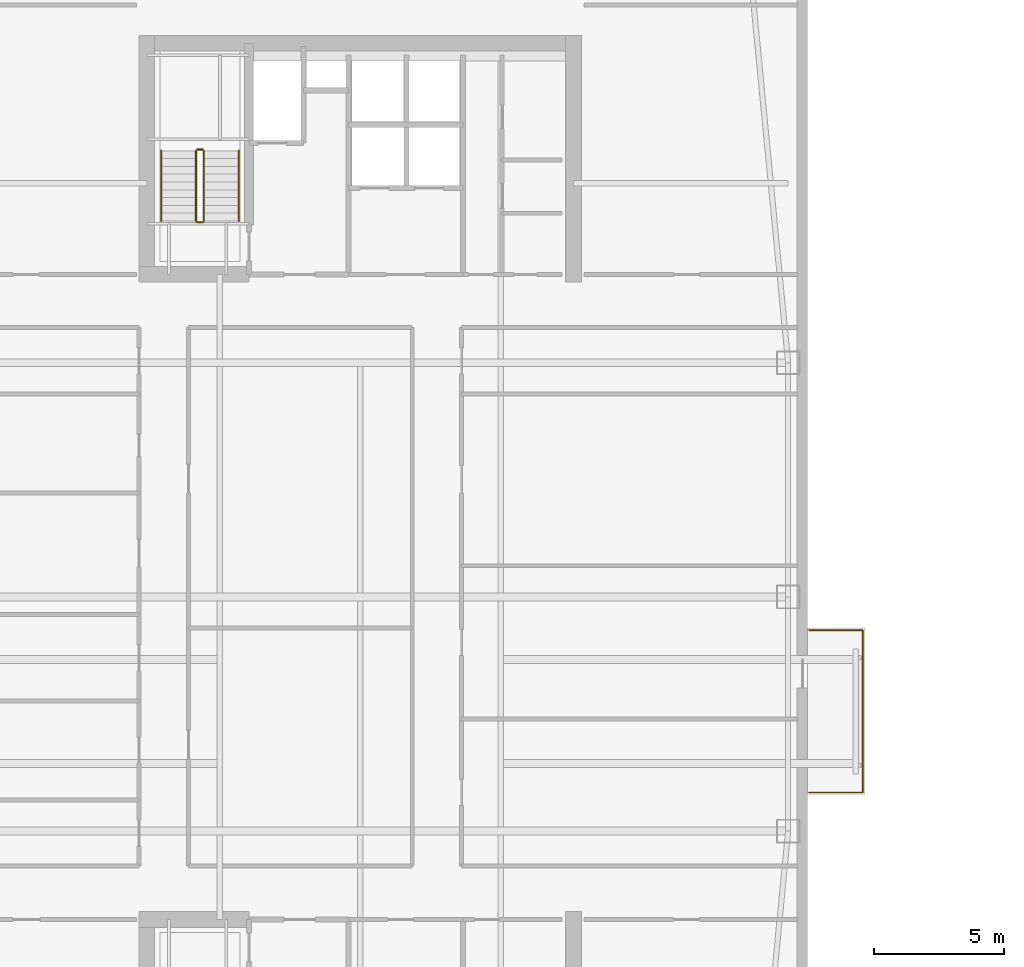
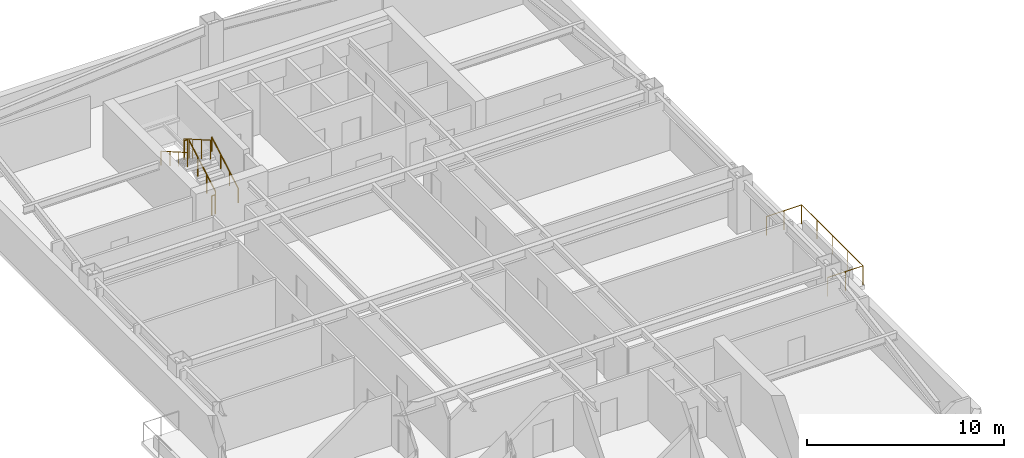
# One storey, part 13 of 15: 7 railings.
"""IFC4 building model written with IfcOpenShell, lengths in metres."""

import ifcopenshell
import ifcopenshell.guid

model = None  # the IFC model being written
_history = None  # IfcOwnerHistory: only IFC2X3 demands one
_inside = {}  # id of a spatial element -> (the spatial element, [elements in it])
_under = {}  # id of a project, library or spatial element -> (it, [spatial elements below it])
_declared = {}  # id of a project -> (the project, [libraries it declares])
_typed = {}  # id of a type object -> (the type object, [elements of that type])
_made_of = {}  # id of a material, layer set ... -> (it, [elements and type objects made of it])


def new_model(schema):
    """Start an empty IFC model of exactly this schema.

    Asked for "IFC4X3", IfcOpenShell would pick the latest addendum, in which some entities
    have other attributes; the version numbers below select the first issue.
    IFC2X3 requires an IfcOwnerHistory on every rooted entity: one is made here for all.
    """
    global model, _history
    if schema == "IFC4X3":
        model = ifcopenshell.file(schema_version=(4, 3, 0, 0))
    else:
        model = ifcopenshell.file(schema=schema)
    _inside.clear()
    _under.clear()
    _declared.clear()
    _typed.clear()
    _made_of.clear()
    _history = None
    if model.schema == "IFC2X3":
        org = make("IfcOrganization", Name="unknown")
        user = make(
            "IfcPersonAndOrganization",
            ThePerson=make("IfcPerson", FamilyName="unknown"),
            TheOrganization=org,
        )
        app = make(
            "IfcApplication",
            ApplicationDeveloper=org,
            Version="unknown",
            ApplicationFullName="unknown",
            ApplicationIdentifier="unknown",
        )
        _history = make(
            "IfcOwnerHistory",
            OwningUser=user,
            OwningApplication=app,
            ChangeAction="ADDED",
            CreationDate=0,
        )
    return model


def make(cls, **values):
    """One entity of the class cls with the attributes given. An attribute that is None is left unset."""
    return model.create_entity(
        cls, **{name: value for name, value in values.items() if value is not None}
    )


def rooted(cls, **values):
    """An entity with a GlobalId (a new one), such as an element, a storey or a relation."""
    return make(cls, GlobalId=ifcopenshell.guid.new(), OwnerHistory=_history, **values)


def si_unit(unit_type, name, prefix=None):
    """IfcSIUnit, for example si_unit("LENGTHUNIT", "METRE", prefix="MILLI")."""
    return make("IfcSIUnit", UnitType=unit_type, Prefix=prefix, Name=name)


def assignment(units):
    """IfcUnitAssignment: the units of a project."""
    return None if units is None else make("IfcUnitAssignment", Units=units)


def point(xyz):
    """IfcCartesianPoint."""
    return None if xyz is None else make("IfcCartesianPoint", Coordinates=xyz)


def direction(xyz):
    """IfcDirection."""
    return None if xyz is None else make("IfcDirection", DirectionRatios=xyz)


def frame(location, z_axis=None, x_axis=None):
    """IfcAxis2Placement3D, a coordinate frame: its origin and axes. An axis left out is left unset."""
    return make(
        "IfcAxis2Placement3D",
        Location=point(location),
        Axis=direction(z_axis),
        RefDirection=direction(x_axis),
    )


def frame_2d(location, x_axis=None):
    """IfcAxis2Placement2D, a coordinate frame in the plane: its origin and x axis."""
    return make(
        "IfcAxis2Placement2D", Location=point(location), RefDirection=direction(x_axis)
    )


def origin():
    """The frame at (0, 0, 0) with its axes left unset."""
    return frame((0.0, 0.0, 0.0))


def origin_2d():
    """The frame at (0, 0) in the plane with its x axis left unset."""
    return frame_2d((0.0, 0.0))


def place(relative_to, where):
    """IfcLocalPlacement: puts the frame where relative to a parent placement (None: the world)."""
    return make(
        "IfcLocalPlacement", PlacementRelTo=relative_to, RelativePlacement=where
    )


def context(
    kind, dimensions, precision=None, world=None, true_north=None, identifier=None
):
    """IfcGeometricRepresentationContext, for example the 3D "Model" context."""
    return make(
        "IfcGeometricRepresentationContext",
        ContextIdentifier=identifier,
        ContextType=kind,
        CoordinateSpaceDimension=dimensions,
        Precision=precision,
        WorldCoordinateSystem=world,
        TrueNorth=true_north,
    )


def subcontext(parent, identifier, kind, view, scale=None):
    """IfcGeometricRepresentationSubContext, for example "Body" below "Model"."""
    return make(
        "IfcGeometricRepresentationSubContext",
        ContextIdentifier=identifier,
        ContextType=kind,
        ParentContext=parent,
        TargetScale=scale,
        TargetView=view,
    )


def project(units=None, contexts=None):
    """IfcProject with its units and contexts."""
    return rooted(
        "IfcProject",
        Name="project",
        RepresentationContexts=contexts,
        UnitsInContext=assignment(units),
    )


def spatial(cls, under=None, at=None, **own):
    """A site, building, storey or space (cls), placed at a placement, below another one or the project."""
    s = rooted(cls, ObjectPlacement=at, **own)
    if under is not None:
        _under.setdefault(under.id(), (under, []))[1].append(s)
    return s


def profile(cls, at=None, kind="AREA", **sizes):
    """A parametric profile (cls). Its sizes go by their IFC names, for example OverallWidth=200.0."""
    return make(cls, ProfileType=kind, Position=at, **sizes)


def circle(**sizes):
    """IfcCircleProfileDef."""
    return profile("IfcCircleProfileDef", **sizes)


def extrude(swept, where, along, depth):
    """IfcExtrudedAreaSolid: the profile swept, set in the frame where, extruded along a direction by depth."""
    return make(
        "IfcExtrudedAreaSolid",
        SweptArea=swept,
        Position=where,
        ExtrudedDirection=direction(along),
        Depth=depth,
    )


def shape(context_of_items, identifier, shape_type, items):
    """IfcShapeRepresentation: the items that make up one representation, for example the "Body"."""
    return make(
        "IfcShapeRepresentation",
        ContextOfItems=context_of_items,
        RepresentationIdentifier=identifier,
        RepresentationType=shape_type,
        Items=items,
    )


def material(Name=None, Category=None):
    """IfcMaterial."""
    return make("IfcMaterial", Name=Name, Category=Category)


def made_of(thing, what):
    """Note that an element or type object is made of a material, layer set ...; save() writes the relation."""
    if what is not None:
        _made_of.setdefault(what.id(), (what, []))[1].append(thing)
    return thing


def type_object(cls, material=None, **own):
    """A type object (cls), such as IfcWallType, which elements share."""
    return made_of(rooted(cls, **own), material)


def element(
    cls,
    number,
    at=None,
    inside=None,
    cuts=None,
    type_object=None,
    material=None,
    context=None,
    identifier="Body",
    shape_type=None,
    held_by="IfcProductDefinitionShape",
    body=None,
    shapes=None,
    **own,
):
    """One element of the class cls, such as IfcWall. Its Tag is "e" and its number.

    at: its placement. inside: the storey or other place that contains it. cuts: it is an
    opening in that element (IfcRelVoidsElement). A single representation is given by context,
    identifier, shape_type and body (its items); several are given by shapes. held_by: the class
    of the entity that holds the representations. save() writes the other relations.
    """
    e = rooted(cls, Tag="e%d" % number, ObjectPlacement=at, **own)
    if body is not None:
        shapes = [shape(context, identifier, shape_type, body)]
    if shapes is not None:
        e.Representation = make(held_by, Representations=shapes)
    if inside is not None:
        _inside.setdefault(inside.id(), (inside, []))[1].append(e)
    if cuts is not None:
        rooted(
            "IfcRelVoidsElement", RelatingBuildingElement=cuts, RelatedOpeningElement=e
        )
    if type_object is not None:
        _typed.setdefault(type_object.id(), (type_object, []))[1].append(e)
    return made_of(e, material)


def aggregate(whole, parts):
    """IfcRelAggregates: a whole, such as a stair, and the parts it consists of."""
    return rooted("IfcRelAggregates", RelatingObject=whole, RelatedObjects=parts)


def save(model, path):
    """Write the relations noted so far, then the file.

    IfcRelAggregates (storeys below a building ...), IfcRelContainedInSpatialStructure (elements
    in a storey), IfcRelDefinesByType, IfcRelAssociatesMaterial and IfcRelDeclares: one each for
    every whole, place, type object, material and project.
    """
    for whole, parts in _under.values():
        aggregate(whole, parts)
    for where, things in _inside.values():
        rooted(
            "IfcRelContainedInSpatialStructure",
            RelatedElements=things,
            RelatingStructure=where,
        )
    for kind, things in _typed.values():
        rooted("IfcRelDefinesByType", RelatedObjects=things, RelatingType=kind)
    for what, things in _made_of.values():
        rooted("IfcRelAssociatesMaterial", RelatedObjects=things, RelatingMaterial=what)
    for by, libraries in _declared.values():
        rooted("IfcRelDeclares", RelatingContext=by, RelatedDefinitions=libraries)
    model.write(path)


model = new_model("IFC4")

# Units and contexts
model_context = context("Model", 3, precision=1e-05, world=origin(), true_north=direction((0.0, 1.0)))
body_context = subcontext(model_context, "Body", "Model", "MODEL_VIEW")
ifc_project = project(units=[si_unit("LENGTHUNIT", "METRE"), si_unit("AREAUNIT", "SQUARE_METRE"), si_unit("VOLUMEUNIT", "CUBIC_METRE"), si_unit("PLANEANGLEUNIT", "RADIAN"), si_unit("MASSUNIT", "GRAM", prefix="KILO")], contexts=[model_context])

# Site, building, storey
site_placement = place(None, origin())
site = spatial("IfcSite", under=ifc_project, at=site_placement, CompositionType="ELEMENT")
building_placement = place(site_placement, origin())
building = spatial("IfcBuilding", under=site, at=building_placement, Name="Qiaolan Cultural Towers", CompositionType="ELEMENT")
storey_placement = place(building_placement, frame((0.0, 0.0, 166.75)))
storey = spatial("IfcBuildingStorey", under=building, at=storey_placement, Name="L44", CompositionType="ELEMENT", Elevation=166.75)

# Railings
ifc_material_1 = material(Name="Laminated SentryGlas & Stainless Steel S31608 Balustrade", Category="steel")
railing_type_1 = type_object("IfcRailingType", Name="GRD-TERR-1200", PredefinedType="BALUSTRADE", material=ifc_material_1)
railing_1_placement = place(storey_placement, frame((47.25, 26.47998046875, 0.0)))
element("IfcRailing", 1, at=railing_1_placement, inside=storey, type_object=railing_type_1, Name="L44 T1 Tree Balcony Guardrail E", PredefinedType="BALUSTRADE", context=body_context, shape_type="SweptSolid", body=[
    extrude(circle(Radius=0.02392578125, at=origin_2d()), frame((0.0, 0.0, 1.17578125), z_axis=(1.0, 0.0, 0.0), x_axis=(0.0, 1.0, 0.0)), (0.0, 0.0, 1.0), 2.070068359375),
    extrude(circle(Radius=0.02392578125, at=origin_2d()), frame((2.070068359375, 0.0, 1.17578125), z_axis=(0.0, 1.0, 0.0), x_axis=(-1.0, 0.0, 0.0)), (0.0, 0.0, 1.0), 6.239990234375),
    extrude(circle(Radius=0.02392578125, at=origin_2d()), frame((2.070068359375, 6.239990234375, 1.17578125), z_axis=(-1.0, 0.0, 0.0), x_axis=(0.0, -1.0, 0.0)), (0.0, 0.0, 1.0), 2.070068359375),
    extrude(circle(Radius=0.02099609375, at=origin_2d()), origin(), (0.0, 0.0, 1.0), 1.15185546875),
    extrude(circle(Radius=0.02099609375, at=origin_2d()), frame((1.03515625, 0.0, 0.0)), (0.0, 0.0, 1.0), 1.15185546875),
    extrude(circle(Radius=0.02099609375, at=origin_2d()), frame((2.070068359375, 0.0, 0.0)), (0.0, 0.0, 1.0), 1.15185546875),
    extrude(circle(Radius=0.02099609375, at=origin_2d()), frame((2.070068359375, 1.56005859375, 0.0)), (0.0, 0.0, 1.0), 1.15185546875),
    extrude(circle(Radius=0.02099609375, at=origin_2d()), frame((2.070068359375, 3.1201171875, 0.0)), (0.0, 0.0, 1.0), 1.15185546875),
    extrude(circle(Radius=0.02099609375, at=origin_2d()), frame((2.070068359375, 4.679931640625, 0.0)), (0.0, 0.0, 1.0), 1.15185546875),
    extrude(circle(Radius=0.02099609375, at=origin_2d()), frame((2.070068359375, 6.239990234375, 0.0)), (0.0, 0.0, 1.0), 1.15185546875),
    extrude(circle(Radius=0.02099609375, at=origin_2d()), frame((1.03515625, 6.239990234375, 0.0)), (0.0, 0.0, 1.0), 1.15185546875),
    extrude(circle(Radius=0.02099609375, at=origin_2d()), frame((0.0, 6.239990234375, 0.0)), (0.0, 0.0, 1.0), 1.15185546875),
])
ifc_material_2 = material(Name="Galvanized Painted Steel Stair Guardrail", Category="steel")
railing_type_2 = type_object("IfcRailingType", Name="RL-STAIR-GRD", PredefinedType="GUARDRAIL", material=ifc_material_2)
railing_2_placement = place(storey_placement, frame((23.989990234375, 48.449951171875, 0.172607421875)))
element("IfcRailing", 2, at=railing_2_placement, inside=storey, type_object=railing_type_2, Name="L44 ST-W2 stair guard 1", PredefinedType="GUARDRAIL", context=body_context, shape_type="SweptSolid", body=[
    extrude(circle(Radius=0.02392578125, at=origin_2d()), frame((0.0, 0.0, 1.17578125), z_axis=(0.0, 0.866903762492, 0.498475542607), x_axis=(-1.0, 0.0, 0.0)), (0.0, 0.0, 1.0), 3.114501953125),
    extrude(circle(Radius=0.02099609375, at=origin_2d()), origin(), (0.0, 0.0, 1.0), 1.15185546875),
    extrude(circle(Radius=0.02099609375, at=origin_2d()), frame((0.0, 0.89990234375, 0.517578125)), (0.0, 0.0, 1.0), 1.15185546875),
    extrude(circle(Radius=0.02099609375, at=origin_2d()), frame((0.0, 1.800048828125, 1.034912109375)), (0.0, 0.0, 1.0), 1.15185546875),
    extrude(circle(Radius=0.02099609375, at=origin_2d()), frame((0.0, 2.699951171875, 1.552490234375)), (0.0, 0.0, 1.0), 1.15185546875),
])
railing_3_placement = place(storey_placement, frame((23.93994140625, 51.199951171875, 1.72509765625)))
element("IfcRailing", 3, at=railing_3_placement, inside=storey, type_object=railing_type_2, Name="L44 ST-W2 stair guard 2", PredefinedType="GUARDRAIL", context=body_context, shape_type="SweptSolid", body=[
    extrude(circle(Radius=0.02392578125, at=origin_2d()), frame((0.0, 0.0, 1.17578125), z_axis=(-1.0, 0.0, 0.0), x_axis=(0.0, -1.0, 0.0)), (0.0, 0.0, 1.0), 0.199951171875),
    extrude(circle(Radius=0.02099609375, at=origin_2d()), origin(), (0.0, 0.0, 1.0), 1.15185546875),
    extrude(circle(Radius=0.02099609375, at=origin_2d()), frame((-0.199951171875, 0.0, 0.0)), (0.0, 0.0, 1.0), 1.15185546875),
])
railing_4_placement = place(storey_placement, frame((23.68994140625, 51.14990234375, 1.8974609375)))
element("IfcRailing", 4, at=railing_4_placement, inside=storey, type_object=railing_type_2, Name="L44 ST-W2 stair guard 3", PredefinedType="GUARDRAIL", context=body_context, shape_type="SweptSolid", body=[
    extrude(circle(Radius=0.02392578125, at=origin_2d()), frame((0.0, 0.0, 1.17578125), z_axis=(0.0, -0.866903762492, 0.498475542607), x_axis=(1.0, 0.0, 0.0)), (0.0, 0.0, 1.0), 3.114501953125),
    extrude(circle(Radius=0.02099609375, at=origin_2d()), origin(), (0.0, 0.0, 1.0), 1.15185546875),
    extrude(circle(Radius=0.02099609375, at=origin_2d()), frame((0.0, -0.89990234375, 0.517578125)), (0.0, 0.0, 1.0), 1.15185546875),
    extrude(circle(Radius=0.02099609375, at=origin_2d()), frame((0.0, -1.800048828125, 1.034912109375)), (0.0, 0.0, 1.0), 1.15185546875),
    extrude(circle(Radius=0.02099609375, at=origin_2d()), frame((0.0, -2.699951171875, 1.552490234375)), (0.0, 0.0, 1.0), 1.15185546875),
])
railing_5_placement = place(storey_placement, frame((23.93994140625, 48.39990234375, 0.0)))
element("IfcRailing", 5, at=railing_5_placement, inside=storey, type_object=railing_type_2, Name="L44 ST-W2 stair guard 4", PredefinedType="GUARDRAIL", context=body_context, shape_type="SweptSolid", body=[
    extrude(circle(Radius=0.02392578125, at=origin_2d()), frame((0.0, 0.0, 1.17578125), z_axis=(-1.0, 0.0, 0.0), x_axis=(0.0, -1.0, 0.0)), (0.0, 0.0, 1.0), 0.199951171875),
    extrude(circle(Radius=0.02099609375, at=origin_2d()), origin(), (0.0, 0.0, 1.0), 1.15185546875),
    extrude(circle(Radius=0.02099609375, at=origin_2d()), frame((-0.199951171875, 0.0, 0.0)), (0.0, 0.0, 1.0), 1.15185546875),
])
ifc_material_3 = material(Name="Stainless Steel S30408 Tubular Handrail", Category="steel")
railing_type_3 = type_object("IfcRailingType", Name="RL-STAIR-HR", PredefinedType="HANDRAIL", material=ifc_material_3)
railing_6_placement = place(storey_placement, frame((25.330078125, 48.449951171875, 0.172607421875)))
element("IfcRailing", 6, at=railing_6_placement, inside=storey, type_object=railing_type_3, Name="L44 ST-W2 stair handrail 1", PredefinedType="HANDRAIL", context=body_context, shape_type="SweptSolid", body=[
    extrude(circle(Radius=0.02392578125, at=origin_2d()), frame((0.0, 0.0, 0.8759765625), z_axis=(0.0, 0.866903762492, 0.498475542607), x_axis=(-1.0, 0.0, 0.0)), (0.0, 0.0, 1.0), 3.114501953125),
    extrude(circle(Radius=0.02099609375, at=origin_2d()), origin(), (0.0, 0.0, 1.0), 0.851806640625),
    extrude(circle(Radius=0.02099609375, at=origin_2d()), frame((0.0, 0.89990234375, 0.517578125)), (0.0, 0.0, 1.0), 0.851806640625),
    extrude(circle(Radius=0.02099609375, at=origin_2d()), frame((0.0, 1.800048828125, 1.034912109375)), (0.0, 0.0, 1.0), 0.851806640625),
    extrude(circle(Radius=0.02099609375, at=origin_2d()), frame((0.0, 2.699951171875, 1.552490234375)), (0.0, 0.0, 1.0), 0.851806640625),
])
railing_7_placement = place(storey_placement, frame((22.35009765625, 51.14990234375, 1.8974609375)))
element("IfcRailing", 7, at=railing_7_placement, inside=storey, type_object=railing_type_3, Name="L44 ST-W2 stair handrail 2", PredefinedType="HANDRAIL", context=body_context, shape_type="SweptSolid", body=[
    extrude(circle(Radius=0.02392578125, at=origin_2d()), frame((0.0, 0.0, 0.8759765625), z_axis=(0.0, -0.866903762492, 0.498475542607), x_axis=(1.0, 0.0, 0.0)), (0.0, 0.0, 1.0), 3.114501953125),
    extrude(circle(Radius=0.02099609375, at=origin_2d()), origin(), (0.0, 0.0, 1.0), 0.851806640625),
    extrude(circle(Radius=0.02099609375, at=origin_2d()), frame((0.0, -0.89990234375, 0.517578125)), (0.0, 0.0, 1.0), 0.851806640625),
    extrude(circle(Radius=0.02099609375, at=origin_2d()), frame((0.0, -1.800048828125, 1.034912109375)), (0.0, 0.0, 1.0), 0.851806640625),
    extrude(circle(Radius=0.02099609375, at=origin_2d()), frame((0.0, -2.699951171875, 1.552490234375)), (0.0, 0.0, 1.0), 0.851806640625),
])

save(model, "model.ifc")
